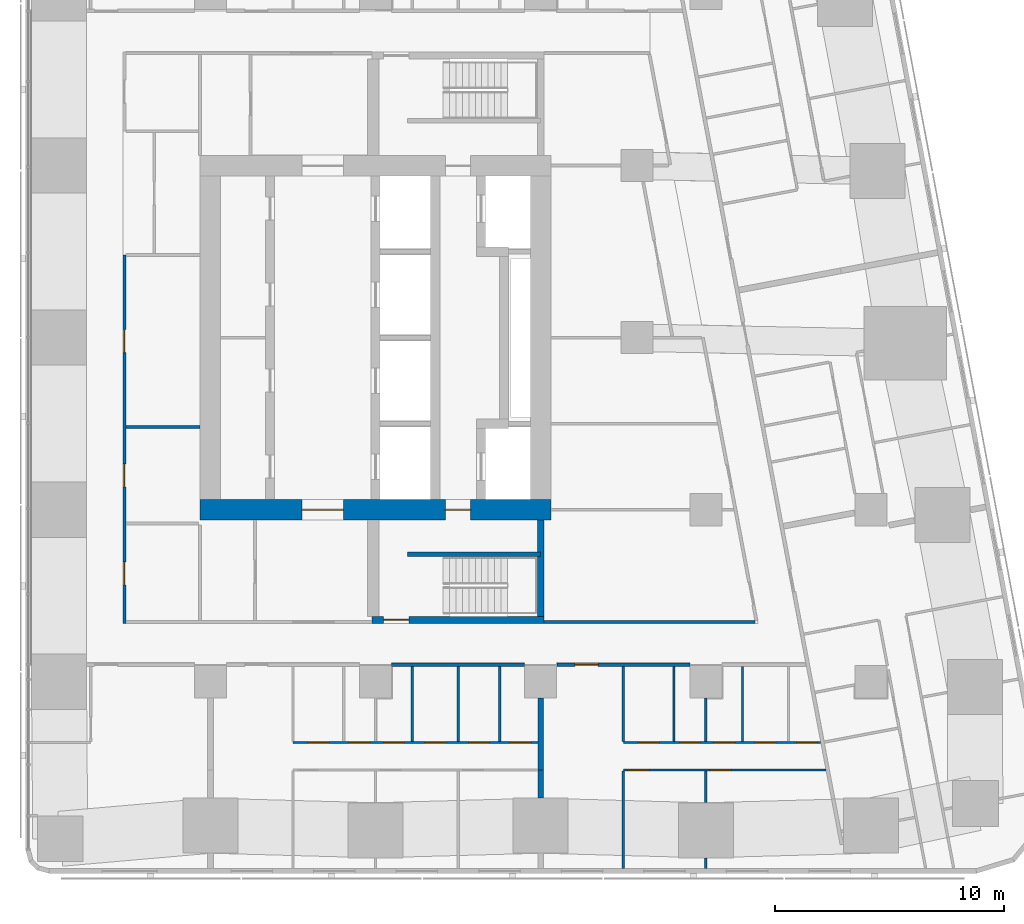
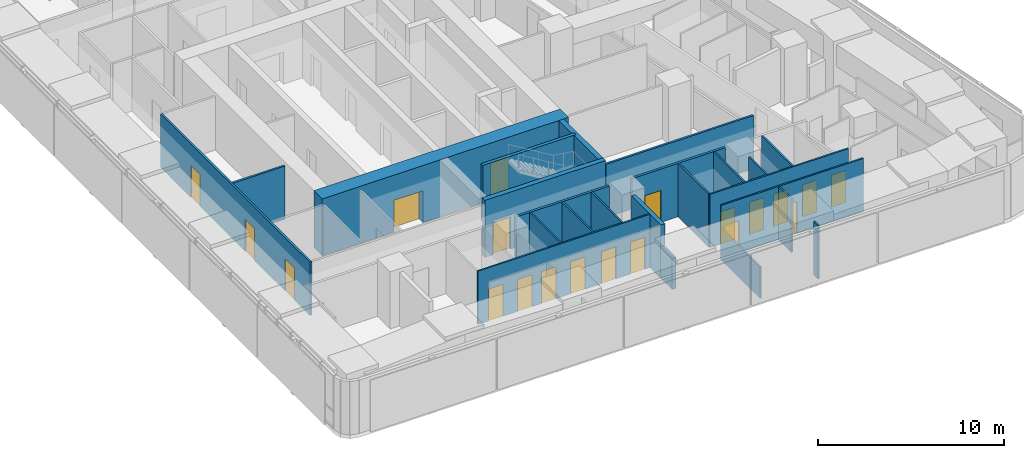
# One storey, part 11 of 19: 24 walls, 20 doors, 20 openings.
"""IFC4 building model written with IfcOpenShell, lengths in metres."""

import ifcopenshell
import ifcopenshell.guid

model = None  # the IFC model being written
_history = None  # IfcOwnerHistory: only IFC2X3 demands one
_inside = {}  # id of a spatial element -> (the spatial element, [elements in it])
_under = {}  # id of a project, library or spatial element -> (it, [spatial elements below it])
_declared = {}  # id of a project -> (the project, [libraries it declares])
_typed = {}  # id of a type object -> (the type object, [elements of that type])
_made_of = {}  # id of a material, layer set ... -> (it, [elements and type objects made of it])


def new_model(schema):
    """Start an empty IFC model of exactly this schema.

    Asked for "IFC4X3", IfcOpenShell would pick the latest addendum, in which some entities
    have other attributes; the version numbers below select the first issue.
    IFC2X3 requires an IfcOwnerHistory on every rooted entity: one is made here for all.
    """
    global model, _history
    if schema == "IFC4X3":
        model = ifcopenshell.file(schema_version=(4, 3, 0, 0))
    else:
        model = ifcopenshell.file(schema=schema)
    _inside.clear()
    _under.clear()
    _declared.clear()
    _typed.clear()
    _made_of.clear()
    _history = None
    if model.schema == "IFC2X3":
        org = make("IfcOrganization", Name="unknown")
        user = make(
            "IfcPersonAndOrganization",
            ThePerson=make("IfcPerson", FamilyName="unknown"),
            TheOrganization=org,
        )
        app = make(
            "IfcApplication",
            ApplicationDeveloper=org,
            Version="unknown",
            ApplicationFullName="unknown",
            ApplicationIdentifier="unknown",
        )
        _history = make(
            "IfcOwnerHistory",
            OwningUser=user,
            OwningApplication=app,
            ChangeAction="ADDED",
            CreationDate=0,
        )
    return model


def make(cls, **values):
    """One entity of the class cls with the attributes given. An attribute that is None is left unset."""
    return model.create_entity(
        cls, **{name: value for name, value in values.items() if value is not None}
    )


def rooted(cls, **values):
    """An entity with a GlobalId (a new one), such as an element, a storey or a relation."""
    return make(cls, GlobalId=ifcopenshell.guid.new(), OwnerHistory=_history, **values)


def si_unit(unit_type, name, prefix=None):
    """IfcSIUnit, for example si_unit("LENGTHUNIT", "METRE", prefix="MILLI")."""
    return make("IfcSIUnit", UnitType=unit_type, Prefix=prefix, Name=name)


def assignment(units):
    """IfcUnitAssignment: the units of a project."""
    return None if units is None else make("IfcUnitAssignment", Units=units)


def point(xyz):
    """IfcCartesianPoint."""
    return None if xyz is None else make("IfcCartesianPoint", Coordinates=xyz)


def direction(xyz):
    """IfcDirection."""
    return None if xyz is None else make("IfcDirection", DirectionRatios=xyz)


def frame(location, z_axis=None, x_axis=None):
    """IfcAxis2Placement3D, a coordinate frame: its origin and axes. An axis left out is left unset."""
    return make(
        "IfcAxis2Placement3D",
        Location=point(location),
        Axis=direction(z_axis),
        RefDirection=direction(x_axis),
    )


def frame_2d(location, x_axis=None):
    """IfcAxis2Placement2D, a coordinate frame in the plane: its origin and x axis."""
    return make(
        "IfcAxis2Placement2D", Location=point(location), RefDirection=direction(x_axis)
    )


def origin():
    """The frame at (0, 0, 0) with its axes left unset."""
    return frame((0.0, 0.0, 0.0))


def place(relative_to, where):
    """IfcLocalPlacement: puts the frame where relative to a parent placement (None: the world)."""
    return make(
        "IfcLocalPlacement", PlacementRelTo=relative_to, RelativePlacement=where
    )


def context(
    kind, dimensions, precision=None, world=None, true_north=None, identifier=None
):
    """IfcGeometricRepresentationContext, for example the 3D "Model" context."""
    return make(
        "IfcGeometricRepresentationContext",
        ContextIdentifier=identifier,
        ContextType=kind,
        CoordinateSpaceDimension=dimensions,
        Precision=precision,
        WorldCoordinateSystem=world,
        TrueNorth=true_north,
    )


def subcontext(parent, identifier, kind, view, scale=None):
    """IfcGeometricRepresentationSubContext, for example "Body" below "Model"."""
    return make(
        "IfcGeometricRepresentationSubContext",
        ContextIdentifier=identifier,
        ContextType=kind,
        ParentContext=parent,
        TargetScale=scale,
        TargetView=view,
    )


def project(units=None, contexts=None):
    """IfcProject with its units and contexts."""
    return rooted(
        "IfcProject",
        Name="project",
        RepresentationContexts=contexts,
        UnitsInContext=assignment(units),
    )


def spatial(cls, under=None, at=None, **own):
    """A site, building, storey or space (cls), placed at a placement, below another one or the project."""
    s = rooted(cls, ObjectPlacement=at, **own)
    if under is not None:
        _under.setdefault(under.id(), (under, []))[1].append(s)
    return s


def profile(cls, at=None, kind="AREA", **sizes):
    """A parametric profile (cls). Its sizes go by their IFC names, for example OverallWidth=200.0."""
    return make(cls, ProfileType=kind, Position=at, **sizes)


def rectangle(**sizes):
    """IfcRectangleProfileDef."""
    return profile("IfcRectangleProfileDef", **sizes)


def extrude(swept, where, along, depth):
    """IfcExtrudedAreaSolid: the profile swept, set in the frame where, extruded along a direction by depth."""
    return make(
        "IfcExtrudedAreaSolid",
        SweptArea=swept,
        Position=where,
        ExtrudedDirection=direction(along),
        Depth=depth,
    )


def shape(context_of_items, identifier, shape_type, items):
    """IfcShapeRepresentation: the items that make up one representation, for example the "Body"."""
    return make(
        "IfcShapeRepresentation",
        ContextOfItems=context_of_items,
        RepresentationIdentifier=identifier,
        RepresentationType=shape_type,
        Items=items,
    )


def material(Name=None, Category=None):
    """IfcMaterial."""
    return make("IfcMaterial", Name=Name, Category=Category)


def layer(
    of_material, thickness, ventilated=None, Name=None, Category=None, Priority=None
):
    """IfcMaterialLayer: one layer of a wall or slab, of a material (None: an air gap)."""
    return make(
        "IfcMaterialLayer",
        Material=of_material,
        LayerThickness=thickness,
        IsVentilated=ventilated,
        Name=Name,
        Category=Category,
        Priority=Priority,
    )


def layer_set(layers, Name=None):
    """IfcMaterialLayerSet."""
    return make("IfcMaterialLayerSet", MaterialLayers=layers, LayerSetName=Name)


def made_of(thing, what):
    """Note that an element or type object is made of a material, layer set ...; save() writes the relation."""
    if what is not None:
        _made_of.setdefault(what.id(), (what, []))[1].append(thing)
    return thing


def type_object(cls, material=None, **own):
    """A type object (cls), such as IfcWallType, which elements share."""
    return made_of(rooted(cls, **own), material)


def element(
    cls,
    number,
    at=None,
    inside=None,
    cuts=None,
    type_object=None,
    material=None,
    context=None,
    identifier="Body",
    shape_type=None,
    held_by="IfcProductDefinitionShape",
    body=None,
    shapes=None,
    **own,
):
    """One element of the class cls, such as IfcWall. Its Tag is "e" and its number.

    at: its placement. inside: the storey or other place that contains it. cuts: it is an
    opening in that element (IfcRelVoidsElement). A single representation is given by context,
    identifier, shape_type and body (its items); several are given by shapes. held_by: the class
    of the entity that holds the representations. save() writes the other relations.
    """
    e = rooted(cls, Tag="e%d" % number, ObjectPlacement=at, **own)
    if body is not None:
        shapes = [shape(context, identifier, shape_type, body)]
    if shapes is not None:
        e.Representation = make(held_by, Representations=shapes)
    if inside is not None:
        _inside.setdefault(inside.id(), (inside, []))[1].append(e)
    if cuts is not None:
        rooted(
            "IfcRelVoidsElement", RelatingBuildingElement=cuts, RelatedOpeningElement=e
        )
    if type_object is not None:
        _typed.setdefault(type_object.id(), (type_object, []))[1].append(e)
    return made_of(e, material)


def fill(opening, filler):
    """IfcRelFillsElement: the door or window that sits in an opening."""
    return rooted(
        "IfcRelFillsElement",
        RelatingOpeningElement=opening,
        RelatedBuildingElement=filler,
    )


def aggregate(whole, parts):
    """IfcRelAggregates: a whole, such as a stair, and the parts it consists of."""
    return rooted("IfcRelAggregates", RelatingObject=whole, RelatedObjects=parts)


def save(model, path):
    """Write the relations noted so far, then the file.

    IfcRelAggregates (storeys below a building ...), IfcRelContainedInSpatialStructure (elements
    in a storey), IfcRelDefinesByType, IfcRelAssociatesMaterial and IfcRelDeclares: one each for
    every whole, place, type object, material and project.
    """
    for whole, parts in _under.values():
        aggregate(whole, parts)
    for where, things in _inside.values():
        rooted(
            "IfcRelContainedInSpatialStructure",
            RelatedElements=things,
            RelatingStructure=where,
        )
    for kind, things in _typed.values():
        rooted("IfcRelDefinesByType", RelatedObjects=things, RelatingType=kind)
    for what, things in _made_of.values():
        rooted("IfcRelAssociatesMaterial", RelatedObjects=things, RelatingMaterial=what)
    for by, libraries in _declared.values():
        rooted("IfcRelDeclares", RelatingContext=by, RelatedDefinitions=libraries)
    model.write(path)


model = new_model("IFC4")

# Units and contexts
model_context = context("Model", 3, precision=1e-05, world=origin(), true_north=direction((0.0, 1.0)))
body_context = subcontext(model_context, "Body", "Model", "MODEL_VIEW")
ifc_project = project(units=[si_unit("LENGTHUNIT", "METRE"), si_unit("AREAUNIT", "SQUARE_METRE"), si_unit("VOLUMEUNIT", "CUBIC_METRE"), si_unit("PLANEANGLEUNIT", "RADIAN"), si_unit("MASSUNIT", "GRAM", prefix="KILO")], contexts=[model_context])

# Site, building, storey
site_placement = place(None, origin())
site = spatial("IfcSite", under=ifc_project, at=site_placement, CompositionType="ELEMENT")
building_placement = place(site_placement, origin())
building = spatial("IfcBuilding", under=site, at=building_placement, Name="Sheger Commons Tower", CompositionType="ELEMENT")
storey_placement = place(building_placement, frame((0.0, 0.0, 197.449951171875)))
storey = spatial("IfcBuildingStorey", under=building, at=storey_placement, Name="L50", CompositionType="ELEMENT", Elevation=197.449951171875)

# Wall, openings, doors
ifc_material_1 = material(Name="Concrete C50/60", Category="concrete")
ifc_layer_1 = layer(ifc_material_1, 0.89990234375)
ifc_layer_set_1 = layer_set([ifc_layer_1], Name="CORE WALL 900")
wall_type_1 = type_object("IfcWallType", Name="CORE WALL 900", PredefinedType="SHEAR", material=ifc_layer_set_1)
wall_1_placement = place(storey_placement, frame((13.949951171875, 15.0, 0.0), z_axis=(0.0, 0.0, 1.0), x_axis=(1.0, 0.0, 0.0)))
wall_1 = element("IfcWall", 1, at=wall_1_placement, inside=storey, type_object=wall_type_1, Name="Core wall south L50", PredefinedType="SHEAR", context=body_context, shape_type="SweptSolid", body=[
    extrude(rectangle(XDim=15.300048828125, YDim=0.89990234375, at=frame_2d((7.64990234375, 0.0))), origin(), (0.0, 0.0, 1.0), 3.75),
])
opening_1_placement = place(wall_1_placement, frame((4.449951171875, 0.0, 0.0)))
opening_1 = element("IfcOpeningElement", 2, at=opening_1_placement, cuts=wall_1, Name="Opening D6", PredefinedType="OPENING", context=body_context, shape_type="SweptSolid", body=[
    extrude(rectangle(XDim=1.800048828125, YDim=2.10009765625, at=frame_2d((0.89990234375, 1.050048828125))), frame((0.0, 0.4599609375, 0.0), z_axis=(0.0, -1.0, 0.0), x_axis=(1.0, 0.0, 0.0)), (0.0, 0.0, 1.0), 0.919921875),
])
opening_2_placement = place(wall_1_placement, frame((10.699951171875, 0.0, 0.0)))
opening_2 = element("IfcOpeningElement", 3, at=opening_2_placement, cuts=wall_1, Name="Opening D5", PredefinedType="OPENING", context=body_context, shape_type="SweptSolid", body=[
    extrude(rectangle(XDim=1.10009765625, YDim=2.10009765625, at=frame_2d((0.550048828125, 1.050048828125))), frame((0.0, 0.4599609375, 0.0), z_axis=(0.0, -1.0, 0.0), x_axis=(1.0, 0.0, 0.0)), (0.0, 0.0, 1.0), 0.919921875),
])
ifc_material_2 = material(Name="Steel door set, fire rated", Category="steel")
door_type_1 = type_object("IfcDoorType", Name="LOBBY DOUBLE DOOR 1800x2100", OperationType="DOUBLE_DOOR_SINGLE_SWING", PredefinedType="DOOR", material=ifc_material_2)
door_1_placement = place(opening_1_placement, origin())
door_1 = element("IfcDoor", 4, at=door_1_placement, inside=storey, type_object=door_type_1, Name="Lift lobby door", OperationType="DOUBLE_DOOR_SINGLE_SWING", OverallHeight=2.10009765625, OverallWidth=1.800048828125, PredefinedType="DOOR", context=body_context, shape_type="SweptSolid", body=[
    extrude(rectangle(XDim=1.800048828125, YDim=2.10009765625, at=frame_2d((0.89990234375, 1.050048828125))), frame((0.0, 0.02490234375, 0.0), z_axis=(0.0, -1.0, 0.0), x_axis=(1.0, 0.0, 0.0)), (0.0, 0.0, 1.0), 0.050048828125),
])
fill(opening_1, door_1)
ifc_material_3 = material(Name="Steel door set, fire rated", Category="steel")
door_type_2 = type_object("IfcDoorType", Name="STAIR DOOR 1100x2100", OperationType="NOTDEFINED", PredefinedType="DOOR", material=ifc_material_3)
door_2_placement = place(opening_2_placement, origin())
door_2 = element("IfcDoor", 5, at=door_2_placement, inside=storey, type_object=door_type_2, Name="Fire-fighting lobby door", OperationType="SINGLE_SWING_LEFT", OverallHeight=2.10009765625, OverallWidth=1.10009765625, PredefinedType="DOOR", context=body_context, shape_type="SweptSolid", body=[
    extrude(rectangle(XDim=1.10009765625, YDim=2.10009765625, at=frame_2d((0.550048828125, 1.050048828125))), frame((0.0, 0.02490234375, 0.0), z_axis=(0.0, -1.0, 0.0), x_axis=(1.0, 0.0, 0.0)), (0.0, 0.0, 1.0), 0.050048828125),
])
fill(opening_2, door_2)

# Wall, opening, door
ifc_material_4 = material(Name="Hollow concrete block masonry, skimmed both sides", Category="masonry")
ifc_layer_2 = layer(ifc_material_4, 0.14990234375)
ifc_layer_set_2 = layer_set([ifc_layer_2], Name="CORRIDOR WALL 150")
wall_type_2 = type_object("IfcWallType", Name="CORRIDOR WALL 150", PredefinedType="SOLIDWALL", material=ifc_layer_set_2)
wall_2_placement = place(storey_placement, frame((35.299072265625, 8.25, 0.0), z_axis=(0.0, 0.0, 1.0), x_axis=(-1.0, 0.0, 0.0)))
wall_2 = element("IfcWall", 6, at=wall_2_placement, inside=storey, type_object=wall_type_2, Name="Corridor wall L50", PredefinedType="SOLIDWALL", context=body_context, shape_type="SweptSolid", body=[
    extrude(rectangle(XDim=5.798095703125, YDim=0.14990234375, at=frame_2d((2.89892578125, 0.0))), origin(), (0.0, 0.0, 1.0), 3.5),
])
opening_3_placement = place(wall_2_placement, frame((3.9990234375, 0.0, 0.0)))
opening_3 = element("IfcOpeningElement", 7, at=opening_3_placement, cuts=wall_2, Name="Opening D1", PredefinedType="OPENING", context=body_context, shape_type="SweptSolid", body=[
    extrude(rectangle(XDim=1.0, YDim=2.10009765625, at=frame_2d((0.5, 1.050048828125))), frame((0.0, 0.0849609375, 0.0), z_axis=(0.0, -1.0, 0.0), x_axis=(1.0, 0.0, 0.0)), (0.0, 0.0, 1.0), 0.169921875),
])
ifc_material_5 = material(Name="Steel door set, fire rated", Category="steel")
door_type_3 = type_object("IfcDoorType", Name="FLAT ENTRANCE DOOR 1000x2100", OperationType="NOTDEFINED", PredefinedType="DOOR", material=ifc_material_5)
door_3_placement = place(opening_3_placement, origin())
door_3 = element("IfcDoor", 8, at=door_3_placement, inside=storey, type_object=door_type_3, Name="Flat entrance door", OperationType="SINGLE_SWING_RIGHT", OverallHeight=2.10009765625, OverallWidth=1.0, PredefinedType="DOOR", context=body_context, shape_type="SweptSolid", body=[
    extrude(rectangle(XDim=1.0, YDim=2.10009765625, at=frame_2d((0.5, 1.050048828125))), frame((0.0, 0.02490234375, 0.0), z_axis=(0.0, -1.0, 0.0), x_axis=(1.0, 0.0, 0.0)), (0.0, 0.0, 1.0), 0.050048828125),
])
fill(opening_3, door_3)

# Walls
wall_3_placement = place(storey_placement, frame((28.09912109375, 8.25, 0.0), z_axis=(0.0, 0.0, 1.0), x_axis=(-1.0, 0.0, 0.0)))
element("IfcWall", 9, at=wall_3_placement, inside=storey, type_object=wall_type_2, Name="Corridor wall L50", PredefinedType="SOLIDWALL", context=body_context, shape_type="SweptSolid", body=[
    extrude(rectangle(XDim=5.798095703125, YDim=0.14990234375, at=frame_2d((2.89892578125, 0.0))), origin(), (0.0, 0.0, 1.0), 3.5),
])
ifc_material_6 = material(Name="Dense concrete block masonry, plastered both sides (separating wall between flats)", Category="masonry")
ifc_layer_3 = layer(ifc_material_6, 0.25)
ifc_layer_set_3 = layer_set([ifc_layer_3], Name="DEMISING WALL 250")
wall_type_3 = type_object("IfcWallType", Name="DEMISING WALL 250", PredefinedType="SOLIDWALL", material=ifc_layer_set_3)
wall_4_placement = place(storey_placement, frame((28.800048828125, 2.426025390625, 0.0), z_axis=(0.0, 0.0, 1.0), x_axis=(0.0, 1.0, 0.0)))
element("IfcWall", 10, at=wall_4_placement, inside=storey, type_object=wall_type_3, Name="Demising wall L50", PredefinedType="SOLIDWALL", context=body_context, shape_type="SweptSolid", body=[
    extrude(rectangle(XDim=1.223876953125, YDim=0.25, at=frame_2d((0.61181640625, 0.0))), origin(), (0.0, 0.0, 1.0), 2.050048828125),
])
wall_5_placement = place(storey_placement, frame((28.800048828125, 3.64990234375, 0.0), z_axis=(0.0, 0.0, 1.0), x_axis=(0.0, 1.0, 0.0)))
element("IfcWall", 11, at=wall_5_placement, inside=storey, type_object=wall_type_3, Name="Demising wall L50", PredefinedType="SOLIDWALL", context=body_context, shape_type="SweptSolid", body=[
    extrude(rectangle(XDim=3.149169921875, YDim=0.25, at=frame_2d((1.57470703125, 0.0))), origin(), (0.0, 0.0, 1.0), 3.5),
])

# Wall, openings, doors
ifc_material_7 = material(Name="Gypsum board on steel studs", Category="steel")
ifc_layer_4 = layer(ifc_material_7, 0.10009765625)
ifc_layer_set_4 = layer_set([ifc_layer_4], Name="PARTITION 100")
wall_type_4 = type_object("IfcWallType", Name="PARTITION 100", PredefinedType="PARTITIONING", material=ifc_layer_set_4)
wall_6_placement = place(storey_placement, frame((28.675048828125, 4.85009765625, 0.0), z_axis=(0.0, 0.0, 1.0), x_axis=(-1.0, 0.0, 0.0)))
wall_6 = element("IfcWall", 12, at=wall_6_placement, inside=storey, type_object=wall_type_4, Name="Partition L50", PredefinedType="PARTITIONING", context=body_context, shape_type="SweptSolid", body=[
    extrude(rectangle(XDim=10.675048828125, YDim=0.10009765625, at=frame_2d((5.33740234375, 0.0))), origin(), (0.0, 0.0, 1.0), 3.5),
])
opening_4_placement = place(wall_6_placement, frame((9.1201171875, 0.0, 0.0)))
opening_4 = element("IfcOpeningElement", 13, at=opening_4_placement, cuts=wall_6, Name="Opening D2", PredefinedType="OPENING", context=body_context, shape_type="SweptSolid", body=[
    extrude(rectangle(XDim=0.89990234375, YDim=2.10009765625, at=frame_2d((0.449951171875, 1.050048828125))), frame((0.0, 0.06005859375, 0.0), z_axis=(0.0, -1.0, 0.0), x_axis=(1.0, 0.0, 0.0)), (0.0, 0.0, 1.0), 0.1201171875),
])
opening_5_placement = place(wall_6_placement, frame((5.824951171875, 0.0, 0.0)))
opening_5 = element("IfcOpeningElement", 14, at=opening_5_placement, cuts=wall_6, Name="Opening D2", PredefinedType="OPENING", context=body_context, shape_type="SweptSolid", body=[
    extrude(rectangle(XDim=0.89990234375, YDim=2.10009765625, at=frame_2d((0.449951171875, 1.050048828125))), frame((0.0, 0.06005859375, 0.0), z_axis=(0.0, -1.0, 0.0), x_axis=(1.0, 0.0, 0.0)), (0.0, 0.0, 1.0), 0.1201171875),
])
opening_6_placement = place(wall_6_placement, frame((2.114990234375, 0.0, 0.0)))
opening_6 = element("IfcOpeningElement", 15, at=opening_6_placement, cuts=wall_6, Name="Opening D2", PredefinedType="OPENING", context=body_context, shape_type="SweptSolid", body=[
    extrude(rectangle(XDim=0.89990234375, YDim=2.10009765625, at=frame_2d((0.449951171875, 1.050048828125))), frame((0.0, 0.06005859375, 0.0), z_axis=(0.0, -1.0, 0.0), x_axis=(1.0, 0.0, 0.0)), (0.0, 0.0, 1.0), 0.1201171875),
])
opening_7_placement = place(wall_6_placement, frame((7.320068359375, 0.0, 0.0)))
opening_7 = element("IfcOpeningElement", 16, at=opening_7_placement, cuts=wall_6, Name="Opening D2", PredefinedType="OPENING", context=body_context, shape_type="SweptSolid", body=[
    extrude(rectangle(XDim=0.89990234375, YDim=2.10009765625, at=frame_2d((0.449951171875, 1.050048828125))), frame((0.0, 0.06005859375, 0.0), z_axis=(0.0, -1.0, 0.0), x_axis=(1.0, 0.0, 0.0)), (0.0, 0.0, 1.0), 0.1201171875),
])
opening_8_placement = place(wall_6_placement, frame((4.02490234375, 0.0, 0.0)))
opening_8 = element("IfcOpeningElement", 17, at=opening_8_placement, cuts=wall_6, Name="Opening D2", PredefinedType="OPENING", context=body_context, shape_type="SweptSolid", body=[
    extrude(rectangle(XDim=0.89990234375, YDim=2.10009765625, at=frame_2d((0.449951171875, 1.050048828125))), frame((0.0, 0.06005859375, 0.0), z_axis=(0.0, -1.0, 0.0), x_axis=(1.0, 0.0, 0.0)), (0.0, 0.0, 1.0), 0.1201171875),
])
opening_9_placement = place(wall_6_placement, frame((0.31494140625, 0.0, 0.0)))
opening_9 = element("IfcOpeningElement", 18, at=opening_9_placement, cuts=wall_6, Name="Opening D2", PredefinedType="OPENING", context=body_context, shape_type="SweptSolid", body=[
    extrude(rectangle(XDim=0.89990234375, YDim=2.10009765625, at=frame_2d((0.449951171875, 1.050048828125))), frame((0.0, 0.06005859375, 0.0), z_axis=(0.0, -1.0, 0.0), x_axis=(1.0, 0.0, 0.0)), (0.0, 0.0, 1.0), 0.1201171875),
])
ifc_material_8 = material(Name="Timber door set", Category="wood")
door_type_4 = type_object("IfcDoorType", Name="INTERNAL DOOR 900x2100", OperationType="NOTDEFINED", PredefinedType="DOOR", material=ifc_material_8)
door_4_placement = place(opening_4_placement, origin())
door_4 = element("IfcDoor", 19, at=door_4_placement, inside=storey, type_object=door_type_4, Name="Bathroom door", OperationType="SINGLE_SWING_LEFT", OverallHeight=2.10009765625, OverallWidth=0.89990234375, PredefinedType="DOOR", context=body_context, shape_type="SweptSolid", body=[
    extrude(rectangle(XDim=0.89990234375, YDim=2.10009765625, at=frame_2d((0.449951171875, 1.050048828125))), frame((0.0, 0.02490234375, 0.0), z_axis=(0.0, -1.0, 0.0), x_axis=(1.0, 0.0, 0.0)), (0.0, 0.0, 1.0), 0.050048828125),
])
fill(opening_4, door_4)
door_5_placement = place(opening_5_placement, origin())
door_5 = element("IfcDoor", 20, at=door_5_placement, inside=storey, type_object=door_type_4, Name="Shower room door", OperationType="SINGLE_SWING_LEFT", OverallHeight=2.10009765625, OverallWidth=0.89990234375, PredefinedType="DOOR", context=body_context, shape_type="SweptSolid", body=[
    extrude(rectangle(XDim=0.89990234375, YDim=2.10009765625, at=frame_2d((0.449951171875, 1.050048828125))), frame((0.0, 0.02490234375, 0.0), z_axis=(0.0, -1.0, 0.0), x_axis=(1.0, 0.0, 0.0)), (0.0, 0.0, 1.0), 0.050048828125),
])
fill(opening_5, door_5)
door_6_placement = place(opening_6_placement, origin())
door_6 = element("IfcDoor", 21, at=door_6_placement, inside=storey, type_object=door_type_4, Name="Laundry room door", OperationType="SINGLE_SWING_LEFT", OverallHeight=2.10009765625, OverallWidth=0.89990234375, PredefinedType="DOOR", context=body_context, shape_type="SweptSolid", body=[
    extrude(rectangle(XDim=0.89990234375, YDim=2.10009765625, at=frame_2d((0.449951171875, 1.050048828125))), frame((0.0, 0.02490234375, 0.0), z_axis=(0.0, -1.0, 0.0), x_axis=(1.0, 0.0, 0.0)), (0.0, 0.0, 1.0), 0.050048828125),
])
fill(opening_6, door_6)
door_7_placement = place(opening_7_placement, origin())
door_7 = element("IfcDoor", 22, at=door_7_placement, inside=storey, type_object=door_type_4, Name="Store door", OperationType="SINGLE_SWING_RIGHT", OverallHeight=2.10009765625, OverallWidth=0.89990234375, PredefinedType="DOOR", context=body_context, shape_type="SweptSolid", body=[
    extrude(rectangle(XDim=0.89990234375, YDim=2.10009765625, at=frame_2d((0.449951171875, 1.050048828125))), frame((0.0, 0.02490234375, 0.0), z_axis=(0.0, -1.0, 0.0), x_axis=(1.0, 0.0, 0.0)), (0.0, 0.0, 1.0), 0.050048828125),
])
fill(opening_7, door_7)
door_8_placement = place(opening_8_placement, origin())
door_8 = element("IfcDoor", 23, at=door_8_placement, inside=storey, type_object=door_type_4, Name="Store door", OperationType="SINGLE_SWING_RIGHT", OverallHeight=2.10009765625, OverallWidth=0.89990234375, PredefinedType="DOOR", context=body_context, shape_type="SweptSolid", body=[
    extrude(rectangle(XDim=0.89990234375, YDim=2.10009765625, at=frame_2d((0.449951171875, 1.050048828125))), frame((0.0, 0.02490234375, 0.0), z_axis=(0.0, -1.0, 0.0), x_axis=(1.0, 0.0, 0.0)), (0.0, 0.0, 1.0), 0.050048828125),
])
fill(opening_8, door_8)
door_9_placement = place(opening_9_placement, origin())
door_9 = element("IfcDoor", 24, at=door_9_placement, inside=storey, type_object=door_type_4, Name="Store door", OperationType="SINGLE_SWING_RIGHT", OverallHeight=2.10009765625, OverallWidth=0.89990234375, PredefinedType="DOOR", context=body_context, shape_type="SweptSolid", body=[
    extrude(rectangle(XDim=0.89990234375, YDim=2.10009765625, at=frame_2d((0.449951171875, 1.050048828125))), frame((0.0, 0.02490234375, 0.0), z_axis=(0.0, -1.0, 0.0), x_axis=(1.0, 0.0, 0.0)), (0.0, 0.0, 1.0), 0.050048828125),
])
fill(opening_9, door_9)

# Walls
for number, where, z_axis, x_axis, name in (
    (25, (25.199951171875, 4.89990234375, 0.0), (0.0, 0.0, 1.0), (0.0, 1.0, 0.0), "Partition L50"),
    (26, (23.199951171875, 4.89990234375, 0.0), (0.0, 0.0, 1.0), (0.0, 1.0, 0.0), "Partition L50"),
    (27, (27.02001953125, 4.89990234375, 0.0), (0.0, 0.0, 1.0), (0.0, 1.0, 0.0), "Partition L50"),
):
    element("IfcWall", number, at=place(storey_placement, frame(where, z_axis=z_axis, x_axis=x_axis)), inside=storey, type_object=wall_type_4, Name=name, PredefinedType="PARTITIONING", context=body_context, shape_type="SweptSolid", body=[
        extrude(rectangle(XDim=3.275146484375, YDim=0.10009765625, at=frame_2d((1.6376953125, 0.0))), origin(), (0.0, 0.0, 1.0), 3.5),
    ])

# Wall, openings, doors
wall_7_placement = place(storey_placement, frame((41.22900390625, 3.64990234375, 0.0), z_axis=(0.0, 0.0, 1.0), x_axis=(-1.0, 0.0, 0.0)))
wall_7 = element("IfcWall", 28, at=wall_7_placement, inside=storey, type_object=wall_type_4, Name="Partition L50", PredefinedType="PARTITIONING", context=body_context, shape_type="SweptSolid", body=[
    extrude(rectangle(XDim=8.8291015625, YDim=0.10009765625, at=frame_2d((4.41455078125, 0.0))), origin(), (0.0, 0.0, 1.0), 3.5),
])
opening_10_placement = place(wall_7_placement, frame((7.72900390625, 0.0, 0.0)))
opening_10 = element("IfcOpeningElement", 29, at=opening_10_placement, cuts=wall_7, Name="Opening D2", PredefinedType="OPENING", context=body_context, shape_type="SweptSolid", body=[
    extrude(rectangle(XDim=0.89990234375, YDim=2.10009765625, at=frame_2d((0.449951171875, 1.050048828125))), frame((0.0, 0.06005859375, 0.0), z_axis=(0.0, -1.0, 0.0), x_axis=(1.0, 0.0, 0.0)), (0.0, 0.0, 1.0), 0.1201171875),
])
opening_11_placement = place(wall_7_placement, frame((4.12890625, 0.0, 0.0)))
opening_11 = element("IfcOpeningElement", 30, at=opening_11_placement, cuts=wall_7, Name="Opening D2", PredefinedType="OPENING", context=body_context, shape_type="SweptSolid", body=[
    extrude(rectangle(XDim=0.89990234375, YDim=2.10009765625, at=frame_2d((0.449951171875, 1.050048828125))), frame((0.0, 0.06005859375, 0.0), z_axis=(0.0, -1.0, 0.0), x_axis=(1.0, 0.0, 0.0)), (0.0, 0.0, 1.0), 0.1201171875),
])
door_10_placement = place(opening_10_placement, origin())
door_10 = element("IfcDoor", 31, at=door_10_placement, inside=storey, type_object=door_type_4, Name="Main bedroom door", OperationType="SINGLE_SWING_RIGHT", OverallHeight=2.10009765625, OverallWidth=0.89990234375, PredefinedType="DOOR", context=body_context, shape_type="SweptSolid", body=[
    extrude(rectangle(XDim=0.89990234375, YDim=2.10009765625, at=frame_2d((0.449951171875, 1.050048828125))), frame((0.0, 0.02490234375, 0.0), z_axis=(0.0, -1.0, 0.0), x_axis=(1.0, 0.0, 0.0)), (0.0, 0.0, 1.0), 0.050048828125),
])
fill(opening_10, door_10)
door_11_placement = place(opening_11_placement, origin())
door_11 = element("IfcDoor", 32, at=door_11_placement, inside=storey, type_object=door_type_4, Name="Bedroom 2 door", OperationType="SINGLE_SWING_RIGHT", OverallHeight=2.10009765625, OverallWidth=0.89990234375, PredefinedType="DOOR", context=body_context, shape_type="SweptSolid", body=[
    extrude(rectangle(XDim=0.89990234375, YDim=2.10009765625, at=frame_2d((0.449951171875, 1.050048828125))), frame((0.0, 0.02490234375, 0.0), z_axis=(0.0, -1.0, 0.0), x_axis=(1.0, 0.0, 0.0)), (0.0, 0.0, 1.0), 0.050048828125),
])
fill(opening_11, door_11)

wall_8_placement = place(storey_placement, frame((41.001953125, 4.85009765625, 0.0), z_axis=(0.0, 0.0, 1.0), x_axis=(-1.0, 0.0, 0.0)))
wall_8 = element("IfcWall", 33, at=wall_8_placement, inside=storey, type_object=wall_type_4, Name="Partition L50", PredefinedType="PARTITIONING", context=body_context, shape_type="SweptSolid", body=[
    extrude(rectangle(XDim=8.60205078125, YDim=0.10009765625, at=frame_2d((4.301025390625, 0.0))), origin(), (0.0, 0.0, 1.0), 3.5),
])
opening_12_placement = place(wall_8_placement, frame((7.047119140625, 0.0, 0.0)))
opening_12 = element("IfcOpeningElement", 34, at=opening_12_placement, cuts=wall_8, Name="Opening D2", PredefinedType="OPENING", context=body_context, shape_type="SweptSolid", body=[
    extrude(rectangle(XDim=0.89990234375, YDim=2.10009765625, at=frame_2d((0.449951171875, 1.050048828125))), frame((0.0, 0.06005859375, 0.0), z_axis=(0.0, -1.0, 0.0), x_axis=(1.0, 0.0, 0.0)), (0.0, 0.0, 1.0), 0.1201171875),
])
opening_13_placement = place(wall_8_placement, frame((3.751953125, 0.0, 0.0)))
opening_13 = element("IfcOpeningElement", 35, at=opening_13_placement, cuts=wall_8, Name="Opening D2", PredefinedType="OPENING", context=body_context, shape_type="SweptSolid", body=[
    extrude(rectangle(XDim=0.89990234375, YDim=2.10009765625, at=frame_2d((0.449951171875, 1.050048828125))), frame((0.0, 0.06005859375, 0.0), z_axis=(0.0, -1.0, 0.0), x_axis=(1.0, 0.0, 0.0)), (0.0, 0.0, 1.0), 0.1201171875),
])
opening_14_placement = place(wall_8_placement, frame((0.14990234375, 0.0, 0.0)))
opening_14 = element("IfcOpeningElement", 36, at=opening_14_placement, cuts=wall_8, Name="Opening D2", PredefinedType="OPENING", context=body_context, shape_type="SweptSolid", body=[
    extrude(rectangle(XDim=0.89990234375, YDim=2.10009765625, at=frame_2d((0.449951171875, 1.050048828125))), frame((0.0, 0.06005859375, 0.0), z_axis=(0.0, -1.0, 0.0), x_axis=(1.0, 0.0, 0.0)), (0.0, 0.0, 1.0), 0.1201171875),
])
opening_15_placement = place(wall_8_placement, frame((5.2470703125, 0.0, 0.0)))
opening_15 = element("IfcOpeningElement", 37, at=opening_15_placement, cuts=wall_8, Name="Opening D2", PredefinedType="OPENING", context=body_context, shape_type="SweptSolid", body=[
    extrude(rectangle(XDim=0.89990234375, YDim=2.10009765625, at=frame_2d((0.449951171875, 1.050048828125))), frame((0.0, 0.06005859375, 0.0), z_axis=(0.0, -1.0, 0.0), x_axis=(1.0, 0.0, 0.0)), (0.0, 0.0, 1.0), 0.1201171875),
])
opening_16_placement = place(wall_8_placement, frame((1.951904296875, 0.0, 0.0)))
opening_16 = element("IfcOpeningElement", 38, at=opening_16_placement, cuts=wall_8, Name="Opening D2", PredefinedType="OPENING", context=body_context, shape_type="SweptSolid", body=[
    extrude(rectangle(XDim=0.89990234375, YDim=2.10009765625, at=frame_2d((0.449951171875, 1.050048828125))), frame((0.0, 0.06005859375, 0.0), z_axis=(0.0, -1.0, 0.0), x_axis=(1.0, 0.0, 0.0)), (0.0, 0.0, 1.0), 0.1201171875),
])
door_12_placement = place(opening_12_placement, origin())
door_12 = element("IfcDoor", 39, at=door_12_placement, inside=storey, type_object=door_type_4, Name="Bathroom door", OperationType="SINGLE_SWING_LEFT", OverallHeight=2.10009765625, OverallWidth=0.89990234375, PredefinedType="DOOR", context=body_context, shape_type="SweptSolid", body=[
    extrude(rectangle(XDim=0.89990234375, YDim=2.10009765625, at=frame_2d((0.449951171875, 1.050048828125))), frame((0.0, 0.02490234375, 0.0), z_axis=(0.0, -1.0, 0.0), x_axis=(1.0, 0.0, 0.0)), (0.0, 0.0, 1.0), 0.050048828125),
])
fill(opening_12, door_12)
door_13_placement = place(opening_13_placement, origin())
door_13 = element("IfcDoor", 40, at=door_13_placement, inside=storey, type_object=door_type_4, Name="Shower room door", OperationType="SINGLE_SWING_RIGHT", OverallHeight=2.10009765625, OverallWidth=0.89990234375, PredefinedType="DOOR", context=body_context, shape_type="SweptSolid", body=[
    extrude(rectangle(XDim=0.89990234375, YDim=2.10009765625, at=frame_2d((0.449951171875, 1.050048828125))), frame((0.0, 0.02490234375, 0.0), z_axis=(0.0, -1.0, 0.0), x_axis=(1.0, 0.0, 0.0)), (0.0, 0.0, 1.0), 0.050048828125),
])
fill(opening_13, door_13)
door_14_placement = place(opening_14_placement, origin())
door_14 = element("IfcDoor", 41, at=door_14_placement, inside=storey, type_object=door_type_4, Name="Laundry room door", OperationType="SINGLE_SWING_RIGHT", OverallHeight=2.10009765625, OverallWidth=0.89990234375, PredefinedType="DOOR", context=body_context, shape_type="SweptSolid", body=[
    extrude(rectangle(XDim=0.89990234375, YDim=2.10009765625, at=frame_2d((0.449951171875, 1.050048828125))), frame((0.0, 0.02490234375, 0.0), z_axis=(0.0, -1.0, 0.0), x_axis=(1.0, 0.0, 0.0)), (0.0, 0.0, 1.0), 0.050048828125),
])
fill(opening_14, door_14)
door_15_placement = place(opening_15_placement, origin())
door_15 = element("IfcDoor", 42, at=door_15_placement, inside=storey, type_object=door_type_4, Name="Store door", OperationType="SINGLE_SWING_LEFT", OverallHeight=2.10009765625, OverallWidth=0.89990234375, PredefinedType="DOOR", context=body_context, shape_type="SweptSolid", body=[
    extrude(rectangle(XDim=0.89990234375, YDim=2.10009765625, at=frame_2d((0.449951171875, 1.050048828125))), frame((0.0, 0.02490234375, 0.0), z_axis=(0.0, -1.0, 0.0), x_axis=(1.0, 0.0, 0.0)), (0.0, 0.0, 1.0), 0.050048828125),
])
fill(opening_15, door_15)
door_16_placement = place(opening_16_placement, origin())
door_16 = element("IfcDoor", 43, at=door_16_placement, inside=storey, type_object=door_type_4, Name="Store door", OperationType="SINGLE_SWING_LEFT", OverallHeight=2.10009765625, OverallWidth=0.89990234375, PredefinedType="DOOR", context=body_context, shape_type="SweptSolid", body=[
    extrude(rectangle(XDim=0.89990234375, YDim=2.10009765625, at=frame_2d((0.449951171875, 1.050048828125))), frame((0.0, 0.02490234375, 0.0), z_axis=(0.0, -1.0, 0.0), x_axis=(1.0, 0.0, 0.0)), (0.0, 0.0, 1.0), 0.050048828125),
])
fill(opening_16, door_16)

# Walls
wall_9_placement = place(storey_placement, frame((32.39990234375, -0.64990234375, 0.0), z_axis=(0.0, 0.0, 1.0), x_axis=(0.0, 1.0, 0.0)))
element("IfcWall", 44, at=wall_9_placement, inside=storey, type_object=wall_type_4, Name="Partition L50", PredefinedType="PARTITIONING", context=body_context, shape_type="SweptSolid", body=[
    extrude(rectangle(XDim=4.25, YDim=0.10009765625, at=frame_2d((2.125, 0.0))), origin(), (0.0, 0.0, 1.0), 2.050048828125),
])
wall_10_placement = place(storey_placement, frame((36.0, -0.64990234375, 0.0), z_axis=(0.0, 0.0, 1.0), x_axis=(0.0, 1.0, 0.0)))
element("IfcWall", 45, at=wall_10_placement, inside=storey, type_object=wall_type_4, Name="Partition L50", PredefinedType="PARTITIONING", context=body_context, shape_type="SweptSolid", body=[
    extrude(rectangle(XDim=0.473876953125, YDim=0.10009765625, at=frame_2d((0.23681640625, 0.0))), origin(), (0.0, 0.0, 1.0), 3.5),
])
wall_11_placement = place(storey_placement, frame((36.0, 2.22607421875, 0.0), z_axis=(0.0, 0.0, 1.0), x_axis=(0.0, 1.0, 0.0)))
element("IfcWall", 46, at=wall_11_placement, inside=storey, type_object=wall_type_4, Name="Partition L50", PredefinedType="PARTITIONING", context=body_context, shape_type="SweptSolid", body=[
    extrude(rectangle(XDim=1.3740234375, YDim=0.10009765625, at=frame_2d((0.68701171875, 0.0))), origin(), (0.0, 0.0, 1.0), 3.5),
])
wall_12_placement = place(storey_placement, frame((32.39990234375, 4.89990234375, 0.0), z_axis=(0.0, 0.0, 1.0), x_axis=(0.0, 1.0, 0.0)))
element("IfcWall", 47, at=wall_12_placement, inside=storey, type_object=wall_type_4, Name="Partition L50", PredefinedType="PARTITIONING", context=body_context, shape_type="SweptSolid", body=[
    extrude(rectangle(XDim=3.275146484375, YDim=0.10009765625, at=frame_2d((1.6376953125, 0.0))), origin(), (0.0, 0.0, 1.0), 3.5),
])
wall_13_placement = place(storey_placement, frame((36.0, 4.89990234375, 0.0), z_axis=(0.0, 0.0, 1.0), x_axis=(0.0, 1.0, 0.0)))
element("IfcWall", 48, at=wall_13_placement, inside=storey, type_object=wall_type_4, Name="Partition L50", PredefinedType="PARTITIONING", context=body_context, shape_type="SweptSolid", body=[
    extrude(rectangle(XDim=1.899169921875, YDim=0.10009765625, at=frame_2d((0.94970703125, 0.0))), origin(), (0.0, 0.0, 1.0), 3.5),
])
for number, where, z_axis, x_axis, name in (
    (49, (34.610107421875, 4.89990234375, 0.0), (0.0, 0.0, 1.0), (0.0, 1.0, 0.0), "Partition L50"),
    (50, (37.60009765625, 4.89990234375, 0.0), (0.0, 0.0, 1.0), (0.0, 1.0, 0.0), "Partition L50"),
):
    element("IfcWall", number, at=place(storey_placement, frame(where, z_axis=z_axis, x_axis=x_axis)), inside=storey, type_object=wall_type_4, Name=name, PredefinedType="PARTITIONING", context=body_context, shape_type="SweptSolid", body=[
        extrude(rectangle(XDim=3.275146484375, YDim=0.10009765625, at=frame_2d((1.6376953125, 0.0))), origin(), (0.0, 0.0, 1.0), 3.5),
    ])

# Wall, openings, doors
ifc_material_9 = material(Name="Gypsum board on steel studs, two layers each side, fire rated", Category="steel")
ifc_layer_5 = layer(ifc_material_9, 0.125)
ifc_layer_set_5 = layer_set([ifc_layer_5], Name="SERVICE WALL 125")
wall_type_5 = type_object("IfcWallType", Name="SERVICE WALL 125", PredefinedType="PARTITIONING", material=ifc_layer_set_5)
wall_14_placement = place(storey_placement, frame((10.64990234375, 10.050048828125, 0.0), z_axis=(0.0, 0.0, 1.0), x_axis=(0.0, 1.0, 0.0)))
wall_14 = element("IfcWall", 51, at=wall_14_placement, inside=storey, type_object=wall_type_5, Name="Service room wall L50", PredefinedType="PARTITIONING", context=body_context, shape_type="SweptSolid", body=[
    extrude(rectangle(XDim=16.050048828125, YDim=0.125, at=frame_2d((8.02490234375, 0.0))), origin(), (0.0, 0.0, 1.0), 3.5),
])
opening_17_placement = place(wall_14_placement, frame((1.675048828125, 0.0, 0.0)))
opening_17 = element("IfcOpeningElement", 52, at=opening_17_placement, cuts=wall_14, Name="Opening D4", PredefinedType="OPENING", context=body_context, shape_type="SweptSolid", body=[
    extrude(rectangle(XDim=1.0, YDim=2.10009765625, at=frame_2d((0.5, 1.050048828125))), frame((0.0, 0.072509765625, 0.0), z_axis=(0.0, -1.0, 0.0), x_axis=(1.0, 0.0, 0.0)), (0.0, 0.0, 1.0), 0.14501953125),
])
opening_18_placement = place(wall_14_placement, frame((5.949951171875, 0.0, 0.0)))
opening_18 = element("IfcOpeningElement", 53, at=opening_18_placement, cuts=wall_14, Name="Opening D4", PredefinedType="OPENING", context=body_context, shape_type="SweptSolid", body=[
    extrude(rectangle(XDim=1.0, YDim=2.10009765625, at=frame_2d((0.5, 1.050048828125))), frame((0.0, 0.072509765625, 0.0), z_axis=(0.0, -1.0, 0.0), x_axis=(1.0, 0.0, 0.0)), (0.0, 0.0, 1.0), 0.14501953125),
])
opening_19_placement = place(wall_14_placement, frame((11.800048828125, 0.0, 0.0)))
opening_19 = element("IfcOpeningElement", 54, at=opening_19_placement, cuts=wall_14, Name="Opening D4", PredefinedType="OPENING", context=body_context, shape_type="SweptSolid", body=[
    extrude(rectangle(XDim=1.0, YDim=2.10009765625, at=frame_2d((0.5, 1.050048828125))), frame((0.0, 0.072509765625, 0.0), z_axis=(0.0, -1.0, 0.0), x_axis=(1.0, 0.0, 0.0)), (0.0, 0.0, 1.0), 0.14501953125),
])
ifc_material_10 = material(Name="Steel door set, fire rated", Category="steel")
door_type_5 = type_object("IfcDoorType", Name="SERVICE DOOR 1000x2100", OperationType="NOTDEFINED", PredefinedType="DOOR", material=ifc_material_10)
door_17_placement = place(opening_17_placement, origin())
door_17 = element("IfcDoor", 55, at=door_17_placement, inside=storey, type_object=door_type_5, Name="Refuse chute room door", OperationType="SINGLE_SWING_RIGHT", OverallHeight=2.10009765625, OverallWidth=1.0, PredefinedType="DOOR", context=body_context, shape_type="SweptSolid", body=[
    extrude(rectangle(XDim=1.0, YDim=2.10009765625, at=frame_2d((0.5, 1.050048828125))), frame((0.0, 0.02490234375, 0.0), z_axis=(0.0, -1.0, 0.0), x_axis=(1.0, 0.0, 0.0)), (0.0, 0.0, 1.0), 0.050048828125),
])
fill(opening_17, door_17)
door_18_placement = place(opening_18_placement, origin())
door_18 = element("IfcDoor", 56, at=door_18_placement, inside=storey, type_object=door_type_5, Name="Recycling room door", OperationType="SINGLE_SWING_RIGHT", OverallHeight=2.10009765625, OverallWidth=1.0, PredefinedType="DOOR", context=body_context, shape_type="SweptSolid", body=[
    extrude(rectangle(XDim=1.0, YDim=2.10009765625, at=frame_2d((0.5, 1.050048828125))), frame((0.0, 0.02490234375, 0.0), z_axis=(0.0, -1.0, 0.0), x_axis=(1.0, 0.0, 0.0)), (0.0, 0.0, 1.0), 0.050048828125),
])
fill(opening_18, door_18)
door_19_placement = place(opening_19_placement, origin())
door_19 = element("IfcDoor", 57, at=door_19_placement, inside=storey, type_object=door_type_5, Name="Bicycle and pram store door", OperationType="SINGLE_SWING_LEFT", OverallHeight=2.10009765625, OverallWidth=1.0, PredefinedType="DOOR", context=body_context, shape_type="SweptSolid", body=[
    extrude(rectangle(XDim=1.0, YDim=2.10009765625, at=frame_2d((0.5, 1.050048828125))), frame((0.0, 0.02490234375, 0.0), z_axis=(0.0, -1.0, 0.0), x_axis=(1.0, 0.0, 0.0)), (0.0, 0.0, 1.0), 0.050048828125),
])
fill(opening_19, door_19)

# Walls
wall_15_placement = place(storey_placement, frame((10.712890625, 18.60009765625, 0.0), z_axis=(0.0, 0.0, 1.0), x_axis=(1.0, 0.0, 0.0)))
element("IfcWall", 58, at=wall_15_placement, inside=storey, type_object=wall_type_5, Name="Service room wall L50", PredefinedType="PARTITIONING", context=body_context, shape_type="SweptSolid", body=[
    extrude(rectangle(XDim=3.237060546875, YDim=0.125, at=frame_2d((1.61865234375, 0.0))), origin(), (0.0, 0.0, 1.0), 3.5),
])
wall_16_placement = place(storey_placement, frame((28.949951171875, 10.10009765625, 0.0), z_axis=(0.0, 0.0, 1.0), x_axis=(1.0, 0.0, 0.0)))
element("IfcWall", 59, at=wall_16_placement, inside=storey, type_object=wall_type_5, Name="Service room wall L50", PredefinedType="PARTITIONING", context=body_context, shape_type="SweptSolid", body=[
    extrude(rectangle(XDim=9.18798828125, YDim=0.125, at=frame_2d((4.593994140625, 0.0))), origin(), (0.0, 0.0, 1.0), 3.5),
])

# Wall, opening, door
ifc_material_11 = material(Name="Concrete C50/60", Category="concrete")
ifc_layer_6 = layer(ifc_material_11, 0.300048828125)
ifc_layer_set_6 = layer_set([ifc_layer_6], Name="STAIR CORE WALL 300")
wall_type_6 = type_object("IfcWallType", Name="STAIR CORE WALL 300", PredefinedType="SHEAR", material=ifc_layer_set_6)
wall_17_placement = place(storey_placement, frame((21.449951171875, 10.199951171875, 0.0), z_axis=(0.0, 0.0, 1.0), x_axis=(1.0, 0.0, 0.0)))
wall_17 = element("IfcWall", 60, at=wall_17_placement, inside=storey, type_object=wall_type_6, Name="STW-L50-S1S", PredefinedType="SHEAR", context=body_context, shape_type="SweptSolid", body=[
    extrude(rectangle(XDim=7.5, YDim=0.300048828125, at=frame_2d((3.75, 0.0))), origin(), (0.0, 0.0, 1.0), 3.75),
])
opening_20_placement = place(wall_17_placement, frame((0.5, 0.0, 0.0)))
opening_20 = element("IfcOpeningElement", 61, at=opening_20_placement, cuts=wall_17, Name="Opening D5", PredefinedType="OPENING", context=body_context, shape_type="SweptSolid", body=[
    extrude(rectangle(XDim=1.10009765625, YDim=2.10009765625, at=frame_2d((0.550048828125, 1.050048828125))), frame((0.0, 0.159912109375, 0.0), z_axis=(0.0, -1.0, 0.0), x_axis=(1.0, 0.0, 0.0)), (0.0, 0.0, 1.0), 0.320068359375),
])
door_20_placement = place(opening_20_placement, origin())
door_20 = element("IfcDoor", 62, at=door_20_placement, inside=storey, type_object=door_type_2, Name="Stair S1 door", OperationType="SINGLE_SWING_LEFT", OverallHeight=2.10009765625, OverallWidth=1.10009765625, PredefinedType="DOOR", context=body_context, shape_type="SweptSolid", body=[
    extrude(rectangle(XDim=1.10009765625, YDim=2.10009765625, at=frame_2d((0.550048828125, 1.050048828125))), frame((0.0, 0.02490234375, 0.0), z_axis=(0.0, -1.0, 0.0), x_axis=(1.0, 0.0, 0.0)), (0.0, 0.0, 1.0), 0.050048828125),
])
fill(opening_20, door_20)

# Walls
wall_18_placement = place(storey_placement, frame((28.800048828125, 10.35009765625, 0.0), z_axis=(0.0, 0.0, 1.0), x_axis=(0.0, 1.0, 0.0)))
element("IfcWall", 63, at=wall_18_placement, inside=storey, type_object=wall_type_6, Name="STW-L50-S1E", PredefinedType="SHEAR", context=body_context, shape_type="SweptSolid", body=[
    extrude(rectangle(XDim=4.199951171875, YDim=0.300048828125, at=frame_2d((2.10009765625, 0.0))), origin(), (0.0, 0.0, 1.0), 3.75),
])
ifc_material_12 = material(Name="Concrete C50/60", Category="concrete")
ifc_layer_7 = layer(ifc_material_12, 0.199951171875)
ifc_layer_set_7 = layer_set([ifc_layer_7], Name="STAIR SPINE WALL 200")
wall_type_7 = type_object("IfcWallType", Name="STAIR SPINE WALL 200", PredefinedType="SHEAR", material=ifc_layer_set_7)
wall_19_placement = place(storey_placement, frame((23.0, 13.050048828125, 0.0), z_axis=(0.0, 0.0, 1.0), x_axis=(1.0, 0.0, 0.0)))
element("IfcWall", 64, at=wall_19_placement, inside=storey, type_object=wall_type_7, Name="Stair spine wall L50", PredefinedType="SHEAR", context=body_context, shape_type="SweptSolid", body=[
    extrude(rectangle(XDim=5.800048828125, YDim=0.199951171875, at=frame_2d((2.89990234375, 0.0))), origin(), (0.0, 0.0, 1.0), 3.75),
])

save(model, "model.ifc")
